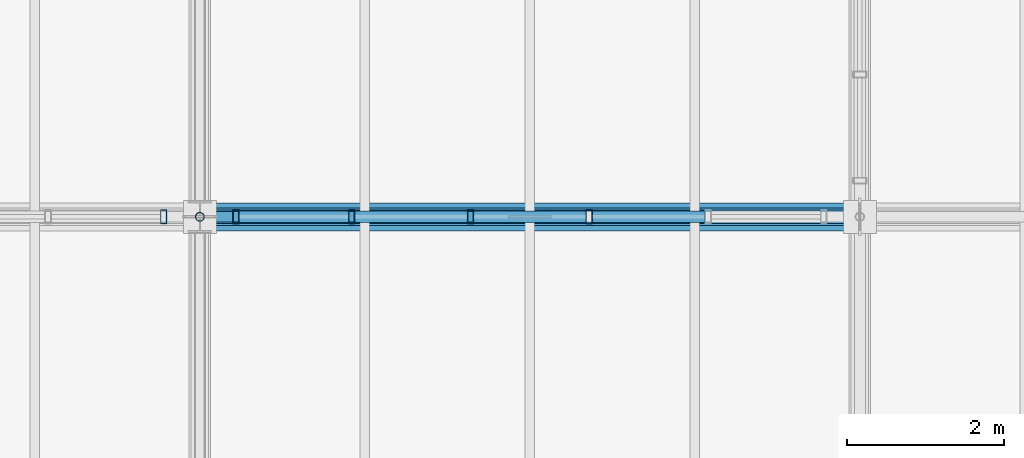
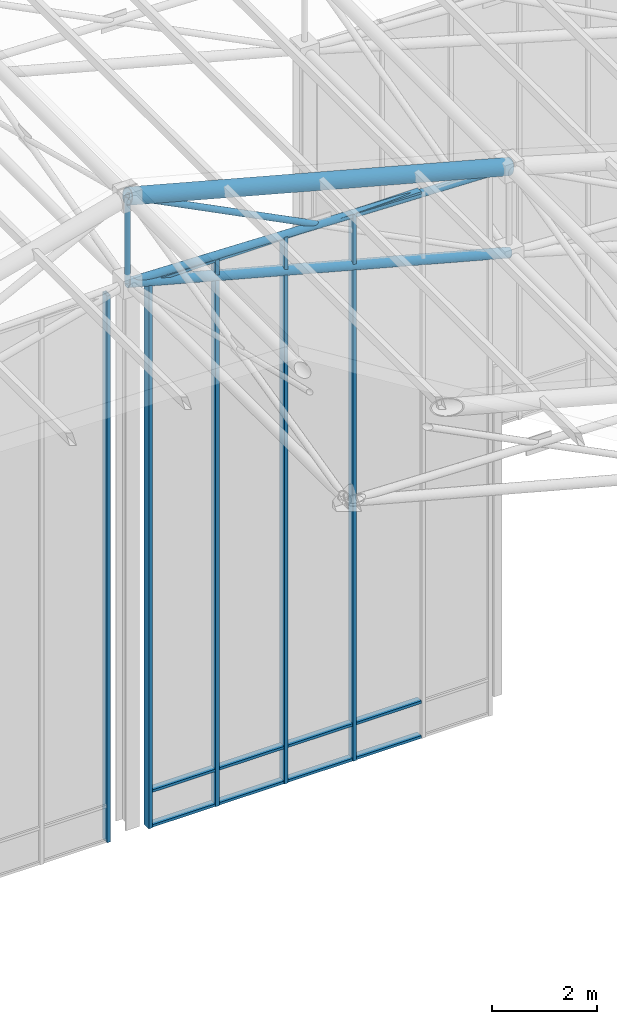
# One storey, part 74 of 144: 22 members, 2 elements without a shape of their own.
"""IFC4 building model written with IfcOpenShell, lengths in metres."""

from ifc_helpers import new_model, si_unit, direction, frame, origin, origin_2d, place, context, subcontext, project, spatial, hollow_rectangle, hollow_circle, extrude, material, layer, layer_set, material_profile, profile_set, type_object, element, aggregate, save


model = new_model("IFC4")

# Units and contexts
model_context = context("Model", 3, precision=1e-05, world=origin(), true_north=direction((0.0, 1.0)))
body_context = subcontext(model_context, "Body", "Model", "MODEL_VIEW")
ifc_project = project(units=[si_unit("LENGTHUNIT", "METRE"), si_unit("AREAUNIT", "SQUARE_METRE"), si_unit("VOLUMEUNIT", "CUBIC_METRE"), si_unit("PLANEANGLEUNIT", "RADIAN"), si_unit("MASSUNIT", "GRAM", prefix="KILO")], contexts=[model_context])

# Site, building, storey
site_placement = place(None, origin())
site = spatial("IfcSite", under=ifc_project, at=site_placement, CompositionType="ELEMENT")
building_placement = place(site_placement, origin())
building = spatial("IfcBuilding", under=site, at=building_placement, Name="Zayran Congress Hotel", CompositionType="ELEMENT")
storey_placement = place(building_placement, frame((0.0, 0.0, 19.199951171875)))
storey = spatial("IfcBuildingStorey", under=building, at=storey_placement, Name="L04", CompositionType="ELEMENT", Elevation=19.199951171875)

# Members
ifc_material_1 = material(Name="Steel S355", Category="steel")
ifc_material_profile_1 = material_profile(ifc_material_1, hollow_circle(Radius=0.177734375, WallThickness=0.01611328125, at=origin_2d()), Name="CHS 355.6x16")
ifc_profile_set_1 = profile_set([ifc_material_profile_1], Name="Steel S355")
member_type_1 = type_object("IfcMemberType", Name="TP-SF-TC1", PredefinedType="CHORD", material=ifc_profile_set_1)
member_1_placement = place(storey_placement, frame((50.39990234375, 109.60009765625, 14.60205078125), z_axis=(0.96594917914, 0.0, -0.258731875344), x_axis=(0.0, 1.0, 0.0)))
element("IfcMember", 1, at=member_1_placement, inside=storey, type_object=member_type_1, Name="Space Frame Top Chord X 317", PredefinedType="CHORD", context=body_context, shape_type="SweptSolid", body=[
    extrude(hollow_circle(Radius=0.177734375, WallThickness=0.01611328125, at=origin_2d()), origin(), (0.0, 0.0, 1.0), 8.6962890625),
])
ifc_material_profile_2 = material_profile(ifc_material_1, hollow_circle(Radius=0.109619140625, WallThickness=0.010009765625, at=origin_2d()), Name="CHS 219.1x10")
ifc_profile_set_2 = profile_set([ifc_material_profile_2], Name="Steel S355")
member_type_2 = type_object("IfcMemberType", Name="TP-SF-BC1", PredefinedType="CHORD", material=ifc_profile_set_2)
member_2_placement = place(storey_placement, frame((50.39990234375, 109.60009765625, 12.60009765625), z_axis=(0.96594917914, 0.0, -0.258731875344), x_axis=(0.0, 1.0, 0.0)))
element("IfcMember", 2, at=member_2_placement, inside=storey, type_object=member_type_2, Name="Space Frame Bottom Chord X 318", PredefinedType="CHORD", context=body_context, shape_type="SweptSolid", body=[
    extrude(hollow_circle(Radius=0.109619140625, WallThickness=0.010009765625, at=origin_2d()), origin(), (0.0, 0.0, 1.0), 8.6962890625),
])
ifc_material_profile_3 = material_profile(ifc_material_1, hollow_circle(Radius=0.084228515625, WallThickness=0.008056640625, at=origin_2d()), Name="CHS 168.3x8")
ifc_profile_set_3 = profile_set([ifc_material_profile_3], Name="Steel S355")
member_type_3 = type_object("IfcMemberType", Name="TP-SF-DG1", PredefinedType="BRACE", material=ifc_profile_set_3)
member_3_placement = place(storey_placement, frame((50.39990234375, 109.60009765625, 12.60009765625), z_axis=(0.99956430768, 0.0, -0.029516009434), x_axis=(0.0, 1.0, 0.0)))
element("IfcMember", 3, at=member_3_placement, inside=storey, type_object=member_type_3, Name="Space Frame Web Diagonal X 319", PredefinedType="BRACE", context=body_context, shape_type="SweptSolid", body=[
    extrude(hollow_circle(Radius=0.084228515625, WallThickness=0.008056640625, at=origin_2d()), origin(), (0.0, 0.0, 1.0), 8.40380859375),
])
ifc_material_profile_4 = material_profile(ifc_material_1, hollow_circle(Radius=0.06982421875, WallThickness=0.00634765625, at=origin_2d()), Name="CHS 139.7x6.3")
ifc_profile_set_4 = profile_set([ifc_material_profile_4], Name="Steel S355")
member_type_4 = type_object("IfcMemberType", Name="TP-SF-DG2", PredefinedType="BRACE", material=ifc_profile_set_4)
member_4_placement = place(storey_placement, frame((50.39990234375, 109.60009765625, 14.60205078125), z_axis=(0.892220848392, 0.0, -0.451599333142), x_axis=(0.0, 1.0, 0.0)))
element("IfcMember", 4, at=member_4_placement, inside=storey, type_object=member_type_4, Name="Space Frame Counter Diagonal X Upper 320", PredefinedType="BRACE", context=body_context, shape_type="SweptSolid", body=[
    extrude(hollow_circle(Radius=0.06982421875, WallThickness=0.00634765625, at=origin_2d()), origin(), (0.0, 0.0, 1.0), 4.692626953125),
])
ifc_material_profile_5 = material_profile(ifc_material_1, hollow_circle(Radius=0.05712890625, WallThickness=0.00634765625, at=origin_2d()), Name="CHS 114.3x6.3")
ifc_profile_set_5 = profile_set([ifc_material_profile_5], Name="Steel S355")
member_type_5 = type_object("IfcMemberType", Name="TP-SF-DG3", PredefinedType="BRACE", material=ifc_profile_set_5)
member_5_placement = place(storey_placement, frame((50.39990234375, 109.60009765625, 12.60009765625), z_axis=(0.0, 0.0, 1.0), x_axis=(0.0, 1.0, 0.0)))
element("IfcMember", 5, at=member_5_placement, inside=storey, type_object=member_type_5, Name="Space Frame Web Strut 325", PredefinedType="BRACE", context=body_context, shape_type="SweptSolid", body=[
    extrude(hollow_circle(Radius=0.05712890625, WallThickness=0.00634765625, at=origin_2d()), origin(), (0.0, 0.0, 1.0), 2.001953125),
])

# Curtain wall, member
ifc_material_2 = material(Name="Anodised aluminium and low-E insulated glass", Category="aluminium")
ifc_layer_1 = layer(ifc_material_2, 0.179931640625)
ifc_layer_set_1 = layer_set([ifc_layer_1], Name="Anodised aluminium and low-E insulated glass")
curtain_wall_type_1 = type_object("IfcCurtainWallType", Name="CW-V1CL-L04-CW-22-7560-12720", PredefinedType="USERDEFINED", material=ifc_layer_set_1)
curtain_wall_1_placement = place(storey_placement, origin())
curtain_wall_1 = element("IfcCurtainWall", 6, at=curtain_wall_1_placement, inside=storey, type_object=curtain_wall_type_1, Name="CW-V1CLN-4", ObjectType="CURTAIN WALL", PredefinedType="USERDEFINED")
ifc_material_3 = material(Name="Anodised aluminium framing", Category="aluminium")
ifc_material_profile_6 = material_profile(ifc_material_3, hollow_rectangle(XDim=0.080078125, YDim=0.179931640625, WallThickness=0.0048828125, at=origin_2d()), Name="RHS 180x80x5")
ifc_profile_set_6 = profile_set([ifc_material_profile_6], Name="Anodised aluminium framing")
member_type_6 = type_object("IfcMemberType", Name="TP-CWM-01", PredefinedType="MULLION", material=ifc_profile_set_6)
member_6_placement = place(storey_placement, frame((49.93994140625, 109.60009765625, -0.219970703125), z_axis=(0.0, 0.0, 1.0), x_axis=(1.0, 0.0, 0.0)))
member_6 = element("IfcMember", 7, at=member_6_placement, type_object=member_type_6, Name="CW-V1CLN-4-M00", PredefinedType="MULLION", context=body_context, shape_type="SweptSolid", body=[
    extrude(hollow_rectangle(XDim=0.080078125, YDim=0.179931640625, WallThickness=0.0048828125, at=origin_2d()), origin(), (0.0, 0.0, 1.0), 12.719970703125),
])
aggregate(curtain_wall_1, [member_6])

# Curtain wall, members
ifc_layer_2 = layer(ifc_material_2, 0.179931640625)
ifc_layer_set_2 = layer_set([ifc_layer_2], Name="Anodised aluminium and low-E insulated glass")
curtain_wall_type_2 = type_object("IfcCurtainWallType", Name="CW-V1CL-L04-CW-23-7560-12720", PredefinedType="USERDEFINED", material=ifc_layer_set_2)
curtain_wall_2_placement = place(storey_placement, origin())
curtain_wall_2 = element("IfcCurtainWall", 8, at=curtain_wall_2_placement, inside=storey, type_object=curtain_wall_type_2, Name="CW-V1CLN-5", ObjectType="CURTAIN WALL", PredefinedType="USERDEFINED")
member_7_placement = place(storey_placement, frame((55.35595703125, 109.60009765625, -0.219970703125), z_axis=(0.0, 0.0, 1.0), x_axis=(1.0, 0.0, 0.0)))
member_7 = element("IfcMember", 9, at=member_7_placement, type_object=member_type_6, Name="CW-V1CLN-5-M02", PredefinedType="MULLION", context=body_context, shape_type="SweptSolid", body=[
    extrude(hollow_rectangle(XDim=0.080078125, YDim=0.179931640625, WallThickness=0.0048828125, at=origin_2d()), origin(), (0.0, 0.0, 1.0), 12.719970703125),
])
member_8_placement = place(storey_placement, frame((53.843994140625, 109.60009765625, -0.219970703125), z_axis=(0.0, 0.0, 1.0), x_axis=(1.0, 0.0, 0.0)))
member_8 = element("IfcMember", 10, at=member_8_placement, type_object=member_type_6, Name="CW-V1CLN-5-M03", PredefinedType="MULLION", context=body_context, shape_type="SweptSolid", body=[
    extrude(hollow_rectangle(XDim=0.080078125, YDim=0.179931640625, WallThickness=0.0048828125, at=origin_2d()), origin(), (0.0, 0.0, 1.0), 12.719970703125),
])
member_9_placement = place(storey_placement, frame((52.33203125, 109.60009765625, -0.219970703125), z_axis=(0.0, 0.0, 1.0), x_axis=(1.0, 0.0, 0.0)))
member_9 = element("IfcMember", 11, at=member_9_placement, type_object=member_type_6, Name="CW-V1CLN-5-M04", PredefinedType="MULLION", context=body_context, shape_type="SweptSolid", body=[
    extrude(hollow_rectangle(XDim=0.080078125, YDim=0.179931640625, WallThickness=0.0048828125, at=origin_2d()), origin(), (0.0, 0.0, 1.0), 12.719970703125),
])
member_10_placement = place(storey_placement, frame((50.860107421875, 109.60009765625, -0.219970703125), z_axis=(0.0, 0.0, 1.0), x_axis=(1.0, 0.0, 0.0)))
member_10 = element("IfcMember", 12, at=member_10_placement, type_object=member_type_6, Name="CW-V1CLN-5-M05", PredefinedType="MULLION", context=body_context, shape_type="SweptSolid", body=[
    extrude(hollow_rectangle(XDim=0.080078125, YDim=0.179931640625, WallThickness=0.0048828125, at=origin_2d()), origin(), (0.0, 0.0, 1.0), 12.719970703125),
])
ifc_material_profile_7 = material_profile(ifc_material_3, hollow_rectangle(XDim=0.06005859375, YDim=0.14990234375, WallThickness=0.00390625, at=origin_2d()), Name="RHS 150x60x4")
ifc_profile_set_7 = profile_set([ifc_material_profile_7], Name="Anodised aluminium framing")
member_type_7 = type_object("IfcMemberType", Name="TP-CWT-01", PredefinedType="USERDEFINED", material=ifc_profile_set_7)
member_11_placement = place(storey_placement, frame((56.827880859375, 109.60009765625, -0.18994140625), z_axis=(-1.0, 0.0, 0.0), x_axis=(0.0, 0.0, 1.0)))
member_11 = element("IfcMember", 13, at=member_11_placement, type_object=member_type_7, Name="CW-V1CLN-5-T01-0", ObjectType="TRANSOM", PredefinedType="USERDEFINED", context=body_context, shape_type="SweptSolid", body=[
    extrude(hollow_rectangle(XDim=0.06005859375, YDim=0.14990234375, WallThickness=0.00390625, at=origin_2d()), origin(), (0.0, 0.0, 1.0), 1.431884765625),
])
member_12_placement = place(storey_placement, frame((56.827880859375, 109.60009765625, 0.6201171875), z_axis=(-1.0, 0.0, 0.0), x_axis=(0.0, 0.0, 1.0)))
member_12 = element("IfcMember", 14, at=member_12_placement, type_object=member_type_7, Name="CW-V1CLN-5-T01-1", ObjectType="TRANSOM", PredefinedType="USERDEFINED", context=body_context, shape_type="SweptSolid", body=[
    extrude(hollow_rectangle(XDim=0.06005859375, YDim=0.14990234375, WallThickness=0.00390625, at=origin_2d()), origin(), (0.0, 0.0, 1.0), 1.431884765625),
])
member_13_placement = place(storey_placement, frame((56.827880859375, 109.60009765625, 12.469970703125), z_axis=(-1.0, 0.0, 0.0), x_axis=(0.0, 0.0, 1.0)))
member_13 = element("IfcMember", 15, at=member_13_placement, type_object=member_type_7, Name="CW-V1CLN-5-T01-2", ObjectType="TRANSOM", PredefinedType="USERDEFINED", context=body_context, shape_type="SweptSolid", body=[
    extrude(hollow_rectangle(XDim=0.06005859375, YDim=0.14990234375, WallThickness=0.00390625, at=origin_2d()), origin(), (0.0, 0.0, 1.0), 1.431884765625),
])
member_14_placement = place(storey_placement, frame((55.31591796875, 109.60009765625, -0.18994140625), z_axis=(-1.0, 0.0, 0.0), x_axis=(0.0, 0.0, 1.0)))
member_14 = element("IfcMember", 16, at=member_14_placement, type_object=member_type_7, Name="CW-V1CLN-5-T02-0", ObjectType="TRANSOM", PredefinedType="USERDEFINED", context=body_context, shape_type="SweptSolid", body=[
    extrude(hollow_rectangle(XDim=0.06005859375, YDim=0.14990234375, WallThickness=0.00390625, at=origin_2d()), origin(), (0.0, 0.0, 1.0), 1.431884765625),
])
member_15_placement = place(storey_placement, frame((55.31591796875, 109.60009765625, 0.6201171875), z_axis=(-1.0, 0.0, 0.0), x_axis=(0.0, 0.0, 1.0)))
member_15 = element("IfcMember", 17, at=member_15_placement, type_object=member_type_7, Name="CW-V1CLN-5-T02-1", ObjectType="TRANSOM", PredefinedType="USERDEFINED", context=body_context, shape_type="SweptSolid", body=[
    extrude(hollow_rectangle(XDim=0.06005859375, YDim=0.14990234375, WallThickness=0.00390625, at=origin_2d()), origin(), (0.0, 0.0, 1.0), 1.431884765625),
])
member_16_placement = place(storey_placement, frame((55.31591796875, 109.60009765625, 12.469970703125), z_axis=(-1.0, 0.0, 0.0), x_axis=(0.0, 0.0, 1.0)))
member_16 = element("IfcMember", 18, at=member_16_placement, type_object=member_type_7, Name="CW-V1CLN-5-T02-2", ObjectType="TRANSOM", PredefinedType="USERDEFINED", context=body_context, shape_type="SweptSolid", body=[
    extrude(hollow_rectangle(XDim=0.06005859375, YDim=0.14990234375, WallThickness=0.00390625, at=origin_2d()), origin(), (0.0, 0.0, 1.0), 1.431884765625),
])
member_17_placement = place(storey_placement, frame((53.803955078125, 109.60009765625, -0.18994140625), z_axis=(-1.0, 0.0, 0.0), x_axis=(0.0, 0.0, 1.0)))
member_17 = element("IfcMember", 19, at=member_17_placement, type_object=member_type_7, Name="CW-V1CLN-5-T03-0", ObjectType="TRANSOM", PredefinedType="USERDEFINED", context=body_context, shape_type="SweptSolid", body=[
    extrude(hollow_rectangle(XDim=0.06005859375, YDim=0.14990234375, WallThickness=0.00390625, at=origin_2d()), origin(), (0.0, 0.0, 1.0), 1.431884765625),
])
member_18_placement = place(storey_placement, frame((53.803955078125, 109.60009765625, 0.6201171875), z_axis=(-1.0, 0.0, 0.0), x_axis=(0.0, 0.0, 1.0)))
member_18 = element("IfcMember", 20, at=member_18_placement, type_object=member_type_7, Name="CW-V1CLN-5-T03-1", ObjectType="TRANSOM", PredefinedType="USERDEFINED", context=body_context, shape_type="SweptSolid", body=[
    extrude(hollow_rectangle(XDim=0.06005859375, YDim=0.14990234375, WallThickness=0.00390625, at=origin_2d()), origin(), (0.0, 0.0, 1.0), 1.431884765625),
])
member_19_placement = place(storey_placement, frame((53.803955078125, 109.60009765625, 12.469970703125), z_axis=(-1.0, 0.0, 0.0), x_axis=(0.0, 0.0, 1.0)))
member_19 = element("IfcMember", 21, at=member_19_placement, type_object=member_type_7, Name="CW-V1CLN-5-T03-2", ObjectType="TRANSOM", PredefinedType="USERDEFINED", context=body_context, shape_type="SweptSolid", body=[
    extrude(hollow_rectangle(XDim=0.06005859375, YDim=0.14990234375, WallThickness=0.00390625, at=origin_2d()), origin(), (0.0, 0.0, 1.0), 1.431884765625),
])
member_20_placement = place(storey_placement, frame((52.2919921875, 109.60009765625, -0.18994140625), z_axis=(-1.0, 0.0, 0.0), x_axis=(0.0, 0.0, 1.0)))
member_20 = element("IfcMember", 22, at=member_20_placement, type_object=member_type_7, Name="CW-V1CLN-5-T04-0", ObjectType="TRANSOM", PredefinedType="USERDEFINED", context=body_context, shape_type="SweptSolid", body=[
    extrude(hollow_rectangle(XDim=0.06005859375, YDim=0.14990234375, WallThickness=0.00390625, at=origin_2d()), origin(), (0.0, 0.0, 1.0), 1.39208984375),
])
member_21_placement = place(storey_placement, frame((52.2919921875, 109.60009765625, 0.6201171875), z_axis=(-1.0, 0.0, 0.0), x_axis=(0.0, 0.0, 1.0)))
member_21 = element("IfcMember", 23, at=member_21_placement, type_object=member_type_7, Name="CW-V1CLN-5-T04-1", ObjectType="TRANSOM", PredefinedType="USERDEFINED", context=body_context, shape_type="SweptSolid", body=[
    extrude(hollow_rectangle(XDim=0.06005859375, YDim=0.14990234375, WallThickness=0.00390625, at=origin_2d()), origin(), (0.0, 0.0, 1.0), 1.39208984375),
])
member_22_placement = place(storey_placement, frame((52.2919921875, 109.60009765625, 12.469970703125), z_axis=(-1.0, 0.0, 0.0), x_axis=(0.0, 0.0, 1.0)))
member_22 = element("IfcMember", 24, at=member_22_placement, type_object=member_type_7, Name="CW-V1CLN-5-T04-2", ObjectType="TRANSOM", PredefinedType="USERDEFINED", context=body_context, shape_type="SweptSolid", body=[
    extrude(hollow_rectangle(XDim=0.06005859375, YDim=0.14990234375, WallThickness=0.00390625, at=origin_2d()), origin(), (0.0, 0.0, 1.0), 1.39208984375),
])
aggregate(curtain_wall_2, [member_7, member_8, member_9, member_10, member_11, member_12, member_13, member_14, member_15, member_16, member_17, member_18, member_19, member_20, member_21, member_22])

save(model, "model.ifc")
